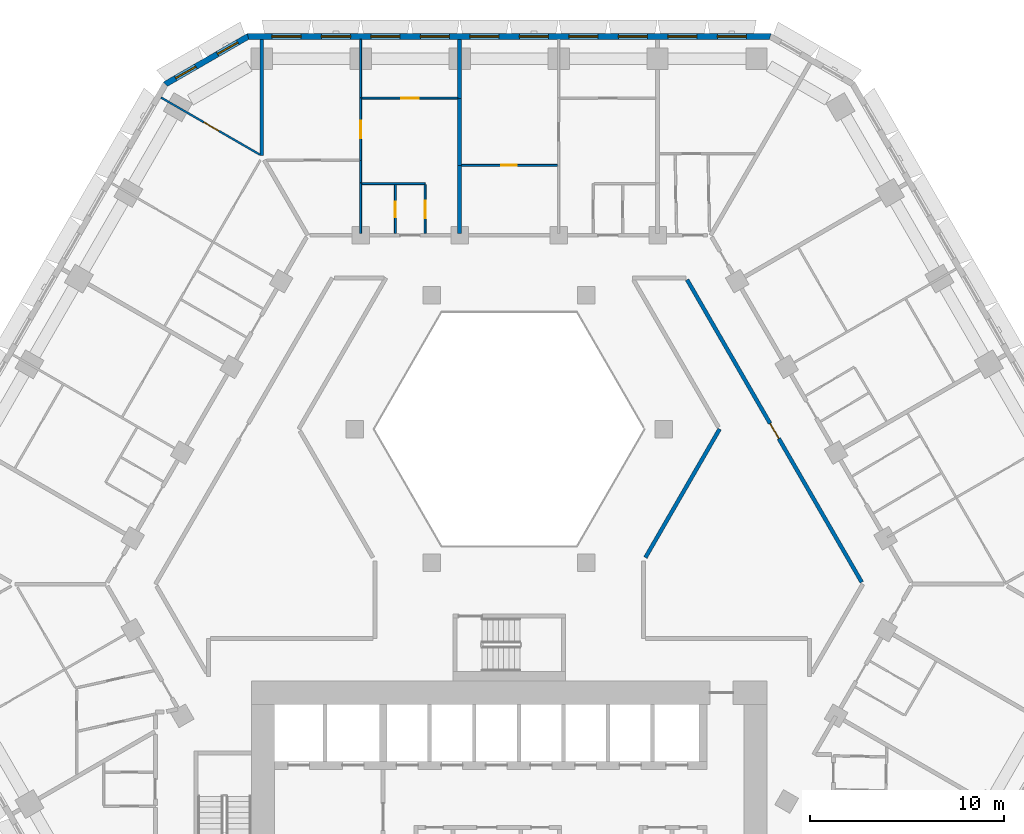
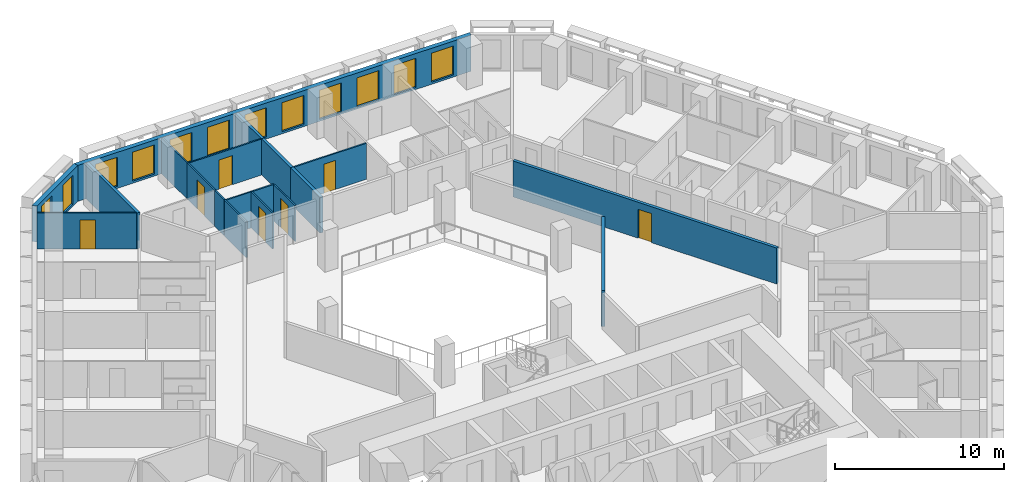
# One storey, part 10 of 21: 18 walls, 12 windows, 7 doors, 19 openings.
"""IFC4 building model written with IfcOpenShell, lengths in metres."""

from ifc_helpers import new_model, si_unit, direction, frame, frame_2d, origin, place, context, subcontext, project, spatial, polyline, rectangle, outline, extrude, material, layer, layer_set, type_object, element, fill, save


model = new_model("IFC4")

# Units and contexts
model_context = context("Model", 3, precision=1e-05, world=origin(), true_north=direction((0.0, 1.0)))
body_context = subcontext(model_context, "Body", "Model", "MODEL_VIEW")
ifc_project = project(units=[si_unit("LENGTHUNIT", "METRE"), si_unit("AREAUNIT", "SQUARE_METRE"), si_unit("VOLUMEUNIT", "CUBIC_METRE"), si_unit("PLANEANGLEUNIT", "RADIAN"), si_unit("MASSUNIT", "GRAM", prefix="KILO")], contexts=[model_context])

# Site, building, storey
site_placement = place(None, origin())
site = spatial("IfcSite", under=ifc_project, at=site_placement, CompositionType="ELEMENT")
building_placement = place(site_placement, origin())
building = spatial("IfcBuilding", under=site, at=building_placement, Name="Beryl Residences", CompositionType="ELEMENT")
storey_placement = place(building_placement, frame((0.0, 0.0, 59.39990234375)))
storey = spatial("IfcBuildingStorey", under=building, at=storey_placement, Name="L18", CompositionType="ELEMENT", Elevation=59.39990234375)

# Wall, openings, windows
ifc_material_1 = material(Name="Composite metal panel with mineral wool insulation")
ifc_layer_1 = layer(ifc_material_1, 0.300048828125)
ifc_layer_set_1 = layer_set([ifc_layer_1], Name="ES1 pale metal composite panel wall 300 mm")
wall_type_1 = type_object("IfcWallType", Name="ES1 pale metal composite panel wall 300 mm", PredefinedType="SOLIDWALL", material=ifc_layer_set_1)
wall_1_placement = place(storey_placement, frame((13.510009765625, 28.25, 0.0), z_axis=(0.0, 0.0, 1.0), x_axis=(-1.0, 0.0, 0.0)))
wall_1 = element("IfcWall", 1, at=wall_1_placement, inside=storey, type_object=wall_type_1, Name="ES1 external wall L18 N", PredefinedType="SOLIDWALL", context=body_context, shape_type="SweptSolid", body=[
    extrude(outline(polyline([(0.0, -0.14990234375), (27.02001953125, -0.14990234375), (26.939697265625, 0.14990234375), (0.080322265625, 0.14990234375), (0.0, -0.14990234375)])), origin(), (0.0, 0.0, 1.0), 2.60009765625),
])
opening_1_placement = place(wall_1_placement, frame((1.277099609375, 0.0, 0.14990234375)))
opening_1 = element("IfcOpeningElement", 2, at=opening_1_placement, cuts=wall_1, Name="Opening W1", PredefinedType="OPENING", context=body_context, shape_type="SweptSolid", body=[
    extrude(rectangle(XDim=1.5, YDim=2.10009765625, at=frame_2d((0.75, 1.050048828125))), frame((0.0, 0.159912109375, 0.0), z_axis=(0.0, -1.0, 0.0), x_axis=(1.0, 0.0, 0.0)), (0.0, 0.0, 1.0), 0.320068359375),
])
opening_2_placement = place(wall_1_placement, frame((3.8291015625, 0.0, 0.14990234375)))
opening_2 = element("IfcOpeningElement", 3, at=opening_2_placement, cuts=wall_1, Name="Opening W1", PredefinedType="OPENING", context=body_context, shape_type="SweptSolid", body=[
    extrude(rectangle(XDim=1.5, YDim=2.10009765625, at=frame_2d((0.75, 1.050048828125))), frame((0.0, 0.159912109375, 0.0), z_axis=(0.0, -1.0, 0.0), x_axis=(1.0, 0.0, 0.0)), (0.0, 0.0, 1.0), 0.320068359375),
])
opening_3_placement = place(wall_1_placement, frame((6.381103515625, 0.0, 0.14990234375)))
opening_3 = element("IfcOpeningElement", 4, at=opening_3_placement, cuts=wall_1, Name="Opening W1", PredefinedType="OPENING", context=body_context, shape_type="SweptSolid", body=[
    extrude(rectangle(XDim=1.5, YDim=2.10009765625, at=frame_2d((0.75, 1.050048828125))), frame((0.0, 0.159912109375, 0.0), z_axis=(0.0, -1.0, 0.0), x_axis=(1.0, 0.0, 0.0)), (0.0, 0.0, 1.0), 0.320068359375),
])
opening_4_placement = place(wall_1_placement, frame((8.93310546875, 0.0, 0.14990234375)))
opening_4 = element("IfcOpeningElement", 5, at=opening_4_placement, cuts=wall_1, Name="Opening W1", PredefinedType="OPENING", context=body_context, shape_type="SweptSolid", body=[
    extrude(rectangle(XDim=1.5, YDim=2.10009765625, at=frame_2d((0.75, 1.050048828125))), frame((0.0, 0.159912109375, 0.0), z_axis=(0.0, -1.0, 0.0), x_axis=(1.0, 0.0, 0.0)), (0.0, 0.0, 1.0), 0.320068359375),
])
opening_5_placement = place(wall_1_placement, frame((11.485107421875, 0.0, 0.14990234375)))
opening_5 = element("IfcOpeningElement", 6, at=opening_5_placement, cuts=wall_1, Name="Opening W1", PredefinedType="OPENING", context=body_context, shape_type="SweptSolid", body=[
    extrude(rectangle(XDim=1.5, YDim=2.10009765625, at=frame_2d((0.75, 1.050048828125))), frame((0.0, 0.159912109375, 0.0), z_axis=(0.0, -1.0, 0.0), x_axis=(1.0, 0.0, 0.0)), (0.0, 0.0, 1.0), 0.320068359375),
])
opening_6_placement = place(wall_1_placement, frame((14.037109375, 0.0, 0.14990234375)))
opening_6 = element("IfcOpeningElement", 7, at=opening_6_placement, cuts=wall_1, Name="Opening W1", PredefinedType="OPENING", context=body_context, shape_type="SweptSolid", body=[
    extrude(rectangle(XDim=1.5, YDim=2.10009765625, at=frame_2d((0.75, 1.050048828125))), frame((0.0, 0.159912109375, 0.0), z_axis=(0.0, -1.0, 0.0), x_axis=(1.0, 0.0, 0.0)), (0.0, 0.0, 1.0), 0.320068359375),
])
opening_7_placement = place(wall_1_placement, frame((16.589111328125, 0.0, 0.14990234375)))
opening_7 = element("IfcOpeningElement", 8, at=opening_7_placement, cuts=wall_1, Name="Opening W1", PredefinedType="OPENING", context=body_context, shape_type="SweptSolid", body=[
    extrude(rectangle(XDim=1.5, YDim=2.10009765625, at=frame_2d((0.75, 1.050048828125))), frame((0.0, 0.159912109375, 0.0), z_axis=(0.0, -1.0, 0.0), x_axis=(1.0, 0.0, 0.0)), (0.0, 0.0, 1.0), 0.320068359375),
])
opening_8_placement = place(wall_1_placement, frame((19.14111328125, 0.0, 0.14990234375)))
opening_8 = element("IfcOpeningElement", 9, at=opening_8_placement, cuts=wall_1, Name="Opening W1", PredefinedType="OPENING", context=body_context, shape_type="SweptSolid", body=[
    extrude(rectangle(XDim=1.5, YDim=2.10009765625, at=frame_2d((0.75, 1.050048828125))), frame((0.0, 0.159912109375, 0.0), z_axis=(0.0, -1.0, 0.0), x_axis=(1.0, 0.0, 0.0)), (0.0, 0.0, 1.0), 0.320068359375),
])
opening_9_placement = place(wall_1_placement, frame((21.693115234375, 0.0, 0.14990234375)))
opening_9 = element("IfcOpeningElement", 10, at=opening_9_placement, cuts=wall_1, Name="Opening W1", PredefinedType="OPENING", context=body_context, shape_type="SweptSolid", body=[
    extrude(rectangle(XDim=1.5, YDim=2.10009765625, at=frame_2d((0.75, 1.050048828125))), frame((0.0, 0.159912109375, 0.0), z_axis=(0.0, -1.0, 0.0), x_axis=(1.0, 0.0, 0.0)), (0.0, 0.0, 1.0), 0.320068359375),
])
opening_10_placement = place(wall_1_placement, frame((24.2451171875, 0.0, 0.14990234375)))
opening_10 = element("IfcOpeningElement", 11, at=opening_10_placement, cuts=wall_1, Name="Opening W1", PredefinedType="OPENING", context=body_context, shape_type="SweptSolid", body=[
    extrude(rectangle(XDim=1.5, YDim=2.10009765625, at=frame_2d((0.75, 1.050048828125))), frame((0.0, 0.159912109375, 0.0), z_axis=(0.0, -1.0, 0.0), x_axis=(1.0, 0.0, 0.0)), (0.0, 0.0, 1.0), 0.320068359375),
])
ifc_material_2 = material(Name="Aluminium and clear glass", Category="aluminium")
window_type_1 = type_object("IfcWindowType", Name="W1 cell window 1500 x 2100 mm", PartitioningType="SINGLE_PANEL", PredefinedType="WINDOW", material=ifc_material_2)
window_1_placement = place(opening_1_placement, origin())
window_1 = element("IfcWindow", 12, at=window_1_placement, inside=storey, type_object=window_type_1, Name="W1 window L18 N 1", OverallHeight=2.10009765625, OverallWidth=1.5, PartitioningType="SINGLE_PANEL", PredefinedType="WINDOW", context=body_context, shape_type="SweptSolid", body=[
    extrude(rectangle(XDim=1.5, YDim=2.10009765625, at=frame_2d((0.75, 1.050048828125))), frame((0.0, 0.030029296875, 0.0), z_axis=(0.0, -1.0, 0.0), x_axis=(1.0, 0.0, 0.0)), (0.0, 0.0, 1.0), 0.06005859375),
])
fill(opening_1, window_1)
window_2_placement = place(opening_2_placement, origin())
window_2 = element("IfcWindow", 13, at=window_2_placement, inside=storey, type_object=window_type_1, Name="W1 window L18 N 2", OverallHeight=2.10009765625, OverallWidth=1.5, PartitioningType="SINGLE_PANEL", PredefinedType="WINDOW", context=body_context, shape_type="SweptSolid", body=[
    extrude(rectangle(XDim=1.5, YDim=2.10009765625, at=frame_2d((0.75, 1.050048828125))), frame((0.0, 0.030029296875, 0.0), z_axis=(0.0, -1.0, 0.0), x_axis=(1.0, 0.0, 0.0)), (0.0, 0.0, 1.0), 0.06005859375),
])
fill(opening_2, window_2)
window_3_placement = place(opening_3_placement, origin())
window_3 = element("IfcWindow", 14, at=window_3_placement, inside=storey, type_object=window_type_1, Name="W1 window L18 N 3", OverallHeight=2.10009765625, OverallWidth=1.5, PartitioningType="SINGLE_PANEL", PredefinedType="WINDOW", context=body_context, shape_type="SweptSolid", body=[
    extrude(rectangle(XDim=1.5, YDim=2.10009765625, at=frame_2d((0.75, 1.050048828125))), frame((0.0, 0.030029296875, 0.0), z_axis=(0.0, -1.0, 0.0), x_axis=(1.0, 0.0, 0.0)), (0.0, 0.0, 1.0), 0.06005859375),
])
fill(opening_3, window_3)
window_4_placement = place(opening_4_placement, origin())
window_4 = element("IfcWindow", 15, at=window_4_placement, inside=storey, type_object=window_type_1, Name="W1 window L18 N 4", OverallHeight=2.10009765625, OverallWidth=1.5, PartitioningType="SINGLE_PANEL", PredefinedType="WINDOW", context=body_context, shape_type="SweptSolid", body=[
    extrude(rectangle(XDim=1.5, YDim=2.10009765625, at=frame_2d((0.75, 1.050048828125))), frame((0.0, 0.030029296875, 0.0), z_axis=(0.0, -1.0, 0.0), x_axis=(1.0, 0.0, 0.0)), (0.0, 0.0, 1.0), 0.06005859375),
])
fill(opening_4, window_4)
window_5_placement = place(opening_5_placement, origin())
window_5 = element("IfcWindow", 16, at=window_5_placement, inside=storey, type_object=window_type_1, Name="W1 window L18 N 5", OverallHeight=2.10009765625, OverallWidth=1.5, PartitioningType="SINGLE_PANEL", PredefinedType="WINDOW", context=body_context, shape_type="SweptSolid", body=[
    extrude(rectangle(XDim=1.5, YDim=2.10009765625, at=frame_2d((0.75, 1.050048828125))), frame((0.0, 0.030029296875, 0.0), z_axis=(0.0, -1.0, 0.0), x_axis=(1.0, 0.0, 0.0)), (0.0, 0.0, 1.0), 0.06005859375),
])
fill(opening_5, window_5)
window_6_placement = place(opening_6_placement, origin())
window_6 = element("IfcWindow", 17, at=window_6_placement, inside=storey, type_object=window_type_1, Name="W1 window L18 N 6", OverallHeight=2.10009765625, OverallWidth=1.5, PartitioningType="SINGLE_PANEL", PredefinedType="WINDOW", context=body_context, shape_type="SweptSolid", body=[
    extrude(rectangle(XDim=1.5, YDim=2.10009765625, at=frame_2d((0.75, 1.050048828125))), frame((0.0, 0.030029296875, 0.0), z_axis=(0.0, -1.0, 0.0), x_axis=(1.0, 0.0, 0.0)), (0.0, 0.0, 1.0), 0.06005859375),
])
fill(opening_6, window_6)
window_7_placement = place(opening_7_placement, origin())
window_7 = element("IfcWindow", 18, at=window_7_placement, inside=storey, type_object=window_type_1, Name="W1 window L18 N 7", OverallHeight=2.10009765625, OverallWidth=1.5, PartitioningType="SINGLE_PANEL", PredefinedType="WINDOW", context=body_context, shape_type="SweptSolid", body=[
    extrude(rectangle(XDim=1.5, YDim=2.10009765625, at=frame_2d((0.75, 1.050048828125))), frame((0.0, 0.030029296875, 0.0), z_axis=(0.0, -1.0, 0.0), x_axis=(1.0, 0.0, 0.0)), (0.0, 0.0, 1.0), 0.06005859375),
])
fill(opening_7, window_7)
window_8_placement = place(opening_8_placement, origin())
window_8 = element("IfcWindow", 19, at=window_8_placement, inside=storey, type_object=window_type_1, Name="W1 window L18 N 8", OverallHeight=2.10009765625, OverallWidth=1.5, PartitioningType="SINGLE_PANEL", PredefinedType="WINDOW", context=body_context, shape_type="SweptSolid", body=[
    extrude(rectangle(XDim=1.5, YDim=2.10009765625, at=frame_2d((0.75, 1.050048828125))), frame((0.0, 0.030029296875, 0.0), z_axis=(0.0, -1.0, 0.0), x_axis=(1.0, 0.0, 0.0)), (0.0, 0.0, 1.0), 0.06005859375),
])
fill(opening_8, window_8)
window_9_placement = place(opening_9_placement, origin())
window_9 = element("IfcWindow", 20, at=window_9_placement, inside=storey, type_object=window_type_1, Name="W1 window L18 N 9", OverallHeight=2.10009765625, OverallWidth=1.5, PartitioningType="SINGLE_PANEL", PredefinedType="WINDOW", context=body_context, shape_type="SweptSolid", body=[
    extrude(rectangle(XDim=1.5, YDim=2.10009765625, at=frame_2d((0.75, 1.050048828125))), frame((0.0, 0.030029296875, 0.0), z_axis=(0.0, -1.0, 0.0), x_axis=(1.0, 0.0, 0.0)), (0.0, 0.0, 1.0), 0.06005859375),
])
fill(opening_9, window_9)
window_10_placement = place(opening_10_placement, origin())
window_10 = element("IfcWindow", 21, at=window_10_placement, inside=storey, type_object=window_type_1, Name="W1 window L18 N 10", OverallHeight=2.10009765625, OverallWidth=1.5, PartitioningType="SINGLE_PANEL", PredefinedType="WINDOW", context=body_context, shape_type="SweptSolid", body=[
    extrude(rectangle(XDim=1.5, YDim=2.10009765625, at=frame_2d((0.75, 1.050048828125))), frame((0.0, 0.030029296875, 0.0), z_axis=(0.0, -1.0, 0.0), x_axis=(1.0, 0.0, 0.0)), (0.0, 0.0, 1.0), 0.06005859375),
])
fill(opening_10, window_10)

wall_2_placement = place(storey_placement, frame((-13.43505859375, 28.27001953125, 0.0), z_axis=(0.0, 0.0, 1.0), x_axis=(-0.866010750942, -0.50002537861, 0.0)))
wall_2 = element("IfcWall", 22, at=wall_2_placement, inside=storey, type_object=wall_type_1, Name="ES1 external wall L18 N-NW", PredefinedType="SOLIDWALL", context=body_context, shape_type="SweptSolid", body=[
    extrude(outline(polyline([(0.0, -0.14990234375), (4.999755859375, -0.14990234375), (4.91943359375, 0.14990234375), (0.080322265625, 0.14990234375), (0.0, -0.14990234375)])), origin(), (0.0, 0.0, 1.0), 2.60009765625),
])
opening_11_placement = place(wall_2_placement, frame((0.64990234375, 0.0, 0.14990234375)))
opening_11 = element("IfcOpeningElement", 23, at=opening_11_placement, cuts=wall_2, Name="Opening W2", PredefinedType="OPENING", context=body_context, shape_type="SweptSolid", body=[
    extrude(rectangle(XDim=1.199951171875, YDim=2.10009765625, at=frame_2d((0.60009765625, 1.050048828125))), frame((0.0, 0.159912109375, 0.0), z_axis=(0.0, -1.0, 0.0), x_axis=(1.0, 0.0, 0.0)), (0.0, 0.0, 1.0), 0.320068359375),
])
opening_12_placement = place(wall_2_placement, frame((3.14892578125, 0.0, 0.14990234375)))
opening_12 = element("IfcOpeningElement", 24, at=opening_12_placement, cuts=wall_2, Name="Opening W2", PredefinedType="OPENING", context=body_context, shape_type="SweptSolid", body=[
    extrude(rectangle(XDim=1.199951171875, YDim=2.10009765625, at=frame_2d((0.60009765625, 1.050048828125))), frame((0.0, 0.159912109375, 0.0), z_axis=(0.0, -1.0, 0.0), x_axis=(1.0, 0.0, 0.0)), (0.0, 0.0, 1.0), 0.320068359375),
])
ifc_material_3 = material(Name="Aluminium and clear glass", Category="aluminium")
window_type_2 = type_object("IfcWindowType", Name="W2 chamfer window 1200 x 2100 mm", PartitioningType="SINGLE_PANEL", PredefinedType="WINDOW", material=ifc_material_3)
window_11_placement = place(opening_11_placement, origin())
window_11 = element("IfcWindow", 25, at=window_11_placement, inside=storey, type_object=window_type_2, Name="W2 window L18 N-NW 1", OverallHeight=2.10009765625, OverallWidth=1.199951171875, PartitioningType="SINGLE_PANEL", PredefinedType="WINDOW", context=body_context, shape_type="SweptSolid", body=[
    extrude(rectangle(XDim=1.199951171875, YDim=2.10009765625, at=frame_2d((0.60009765625, 1.050048828125))), frame((0.0, 0.030029296875, 0.0), z_axis=(0.0, -1.0, 0.0), x_axis=(1.0, 0.0, 0.0)), (0.0, 0.0, 1.0), 0.06005859375),
])
fill(opening_11, window_11)
window_12_placement = place(opening_12_placement, origin())
window_12 = element("IfcWindow", 26, at=window_12_placement, inside=storey, type_object=window_type_2, Name="W2 window L18 N-NW 2", OverallHeight=2.10009765625, OverallWidth=1.199951171875, PartitioningType="SINGLE_PANEL", PredefinedType="WINDOW", context=body_context, shape_type="SweptSolid", body=[
    extrude(rectangle(XDim=1.199951171875, YDim=2.10009765625, at=frame_2d((0.60009765625, 1.050048828125))), frame((0.0, 0.030029296875, 0.0), z_axis=(0.0, -1.0, 0.0), x_axis=(1.0, 0.0, 0.0)), (0.0, 0.0, 1.0), 0.06005859375),
])
fill(opening_12, window_12)

# Wall, opening, door
ifc_material_4 = material(Name="Gypsum board partition on steel studs", Category="steel")
ifc_layer_2 = layer(ifc_material_4, 0.10009765625)
ifc_layer_set_2 = layer_set([ifc_layer_2], Name="PT1 partition 100 mm gypsum board on steel studs")
wall_type_2 = type_object("IfcWallType", Name="PT1 partition 100 mm gypsum board on steel studs", PredefinedType="PARTITIONING", material=ifc_layer_set_2)
wall_3_placement = place(storey_placement, frame((-4.339111328125, 20.60888671875, 0.0), z_axis=(0.0, 0.0, 1.0), x_axis=(0.0, -1.0, 0.0)))
wall_3 = element("IfcWall", 27, at=wall_3_placement, inside=storey, type_object=wall_type_2, Name="Wall PT1 L18 008", PredefinedType="PARTITIONING", context=body_context, shape_type="SweptSolid", body=[
    extrude(rectangle(XDim=2.5087890625, YDim=0.10009765625, at=frame_2d((1.25439453125, 0.0))), origin(), (0.0, 0.0, 1.0), 2.60009765625),
])
opening_13_placement = place(wall_3_placement, frame((0.8291015625, 0.0, 0.0)))
opening_13 = element("IfcOpeningElement", 28, at=opening_13_placement, cuts=wall_3, Name="Opening D0326", PredefinedType="OPENING", context=body_context, shape_type="SweptSolid", body=[
    extrude(rectangle(XDim=0.89990234375, YDim=2.10009765625, at=frame_2d((0.449951171875, 1.050048828125))), frame((0.0, 0.06005859375, 0.0), z_axis=(0.0, -1.0, 0.0), x_axis=(1.0, 0.0, 0.0)), (0.0, 0.0, 1.0), 0.1201171875),
])
ifc_material_5 = material(Name="Timber door leaf", Category="wood")
door_type_1 = type_object("IfcDoorType", Name="D2 room door 900 x 2100 mm", OperationType="SINGLE_SWING_LEFT", PredefinedType="DOOR", material=ifc_material_5)
door_1_placement = place(opening_13_placement, origin())
door_1 = element("IfcDoor", 29, at=door_1_placement, inside=storey, type_object=door_type_1, Name="Door D0326 L18 001", OperationType="SINGLE_SWING_RIGHT", OverallHeight=2.10009765625, OverallWidth=0.89990234375, PredefinedType="DOOR", context=body_context, shape_type="SweptSolid", body=[
    extrude(rectangle(XDim=0.89990234375, YDim=2.10009765625, at=frame_2d((0.449951171875, 1.050048828125))), frame((0.0, 0.02490234375, 0.0), z_axis=(0.0, -1.0, 0.0), x_axis=(1.0, 0.0, 0.0)), (0.0, 0.0, 1.0), 0.050048828125),
])
fill(opening_13, door_1)

# Walls
wall_4_placement = place(storey_placement, frame((-7.656982421875, 28.10009765625, 0.0), z_axis=(0.0, 0.0, 1.0), x_axis=(0.0, -1.0, 0.0)))
element("IfcWall", 30, at=wall_4_placement, inside=storey, type_object=wall_type_2, Name="Wall PT1 L18 009", PredefinedType="PARTITIONING", context=body_context, shape_type="SweptSolid", body=[
    extrude(rectangle(XDim=3.0, YDim=0.10009765625, at=frame_2d((1.5, 0.0))), origin(), (0.0, 0.0, 1.0), 2.60009765625),
])
wall_5_placement = place(storey_placement, frame((-7.656982421875, 21.843994140625, 0.0), z_axis=(0.0, 0.0, 1.0), x_axis=(0.0, -1.0, 0.0)))
element("IfcWall", 31, at=wall_5_placement, inside=storey, type_object=wall_type_2, Name="Wall PT1 L18 010", PredefinedType="PARTITIONING", context=body_context, shape_type="SweptSolid", body=[
    extrude(rectangle(XDim=1.134033203125, YDim=0.10009765625, at=frame_2d((0.56689453125, 0.0))), origin(), (0.0, 0.0, 1.0), 2.60009765625),
])

# Wall, opening, door
wall_6_placement = place(storey_placement, frame((-17.955078125, 25.09912109375, 0.0), z_axis=(0.0, 0.0, 1.0), x_axis=(0.866036353684, -0.499981033738, 0.0)))
wall_6 = element("IfcWall", 32, at=wall_6_placement, inside=storey, type_object=wall_type_2, Name="Wall PT1 L18 028", PredefinedType="PARTITIONING", context=body_context, shape_type="SweptSolid", body=[
    extrude(rectangle(XDim=5.884521484375, YDim=0.10009765625, at=frame_2d((2.9423828125, 0.0))), origin(), (0.0, 0.0, 1.0), 2.60009765625),
])
opening_14_placement = place(wall_6_placement, frame((2.550048828125, 0.0, 0.0)))
opening_14 = element("IfcOpeningElement", 33, at=opening_14_placement, cuts=wall_6, Name="Opening D0336", PredefinedType="OPENING", context=body_context, shape_type="SweptSolid", body=[
    extrude(rectangle(XDim=0.89990234375, YDim=2.10009765625, at=frame_2d((0.449951171875, 1.050048828125))), frame((0.0, 0.06005859375, 0.0), z_axis=(0.0, -1.0, 0.0), x_axis=(1.0, 0.0, 0.0)), (0.0, 0.0, 1.0), 0.1201171875),
])
door_2_placement = place(opening_14_placement, origin())
door_2 = element("IfcDoor", 34, at=door_2_placement, inside=storey, type_object=door_type_1, Name="Door D0336 L18 001", OperationType="SINGLE_SWING_RIGHT", OverallHeight=2.10009765625, OverallWidth=0.89990234375, PredefinedType="DOOR", context=body_context, shape_type="SweptSolid", body=[
    extrude(rectangle(XDim=0.89990234375, YDim=2.10009765625, at=frame_2d((0.449951171875, 1.050048828125))), frame((0.0, 0.02490234375, 0.0), z_axis=(0.0, -1.0, 0.0), x_axis=(1.0, 0.0, 0.0)), (0.0, 0.0, 1.0), 0.050048828125),
])
fill(opening_14, door_2)

# Wall
wall_7_placement = place(storey_placement, frame((-7.60693359375, 20.659912109375, 0.0), z_axis=(0.0, 0.0, 1.0), x_axis=(1.0, 0.0, 0.0)))
element("IfcWall", 35, at=wall_7_placement, inside=storey, type_object=wall_type_2, Name="Wall PT1 L18 037", PredefinedType="PARTITIONING", context=body_context, shape_type="SweptSolid", body=[
    extrude(rectangle(XDim=3.266845703125, YDim=0.10009765625, at=frame_2d((1.63330078125, 0.0))), origin(), (0.0, 0.0, 1.0), 2.60009765625),
])

# Wall, opening, door
wall_8_placement = place(storey_placement, frame((-2.452880859375, 21.60009765625, 0.0), z_axis=(0.0, 0.0, 1.0), x_axis=(1.0, 0.0, 0.0)))
wall_8 = element("IfcWall", 36, at=wall_8_placement, inside=storey, type_object=wall_type_2, Name="Wall PT1 L18 039", PredefinedType="PARTITIONING", context=body_context, shape_type="SweptSolid", body=[
    extrude(rectangle(XDim=4.953857421875, YDim=0.10009765625, at=frame_2d((2.47705078125, 0.0))), origin(), (0.0, 0.0, 1.0), 2.60009765625),
])
opening_15_placement = place(wall_8_placement, frame((2.052001953125, 0.0, 0.0)))
opening_15 = element("IfcOpeningElement", 37, at=opening_15_placement, cuts=wall_8, Name="Opening D0324", PredefinedType="OPENING", context=body_context, shape_type="SweptSolid", body=[
    extrude(rectangle(XDim=0.800048828125, YDim=2.10009765625, at=frame_2d((0.39990234375, 1.050048828125))), frame((0.0, 0.06005859375, 0.0), z_axis=(0.0, -1.0, 0.0), x_axis=(1.0, 0.0, 0.0)), (0.0, 0.0, 1.0), 0.1201171875),
])
ifc_material_6 = material(Name="Timber door leaf", Category="wood")
door_type_2 = type_object("IfcDoorType", Name="D3 bathroom door 800 x 2100 mm", OperationType="SINGLE_SWING_LEFT", PredefinedType="DOOR", material=ifc_material_6)
door_3_placement = place(opening_15_placement, origin())
door_3 = element("IfcDoor", 38, at=door_3_placement, inside=storey, type_object=door_type_2, Name="Door D0324 L18 001", OperationType="SINGLE_SWING_RIGHT", OverallHeight=2.10009765625, OverallWidth=0.800048828125, PredefinedType="DOOR", context=body_context, shape_type="SweptSolid", body=[
    extrude(rectangle(XDim=0.800048828125, YDim=2.10009765625, at=frame_2d((0.39990234375, 1.050048828125))), frame((0.0, 0.02490234375, 0.0), z_axis=(0.0, -1.0, 0.0), x_axis=(1.0, 0.0, 0.0)), (0.0, 0.0, 1.0), 0.050048828125),
])
fill(opening_15, door_3)

wall_9_placement = place(storey_placement, frame((-7.60693359375, 25.070068359375, 0.0), z_axis=(0.0, 0.0, 1.0), x_axis=(1.0, 0.0, 0.0)))
wall_9 = element("IfcWall", 39, at=wall_9_placement, inside=storey, type_object=wall_type_2, Name="Wall PT1 L18 042", PredefinedType="PARTITIONING", context=body_context, shape_type="SweptSolid", body=[
    extrude(rectangle(XDim=4.953857421875, YDim=0.10009765625, at=frame_2d((2.47705078125, 0.0))), origin(), (0.0, 0.0, 1.0), 2.60009765625),
])
opening_16_placement = place(wall_9_placement, frame((2.052001953125, 0.0, 0.0)))
opening_16 = element("IfcOpeningElement", 40, at=opening_16_placement, cuts=wall_9, Name="Opening D0328", PredefinedType="OPENING", context=body_context, shape_type="SweptSolid", body=[
    extrude(rectangle(XDim=0.89990234375, YDim=2.10009765625, at=frame_2d((0.449951171875, 1.050048828125))), frame((0.0, 0.06005859375, 0.0), z_axis=(0.0, -1.0, 0.0), x_axis=(1.0, 0.0, 0.0)), (0.0, 0.0, 1.0), 0.1201171875),
])
door_4_placement = place(opening_16_placement, origin())
door_4 = element("IfcDoor", 41, at=door_4_placement, inside=storey, type_object=door_type_1, Name="Door D0328 L18 001", OperationType="SINGLE_SWING_RIGHT", OverallHeight=2.10009765625, OverallWidth=0.89990234375, PredefinedType="DOOR", context=body_context, shape_type="SweptSolid", body=[
    extrude(rectangle(XDim=0.89990234375, YDim=2.10009765625, at=frame_2d((0.449951171875, 1.050048828125))), frame((0.0, 0.02490234375, 0.0), z_axis=(0.0, -1.0, 0.0), x_axis=(1.0, 0.0, 0.0)), (0.0, 0.0, 1.0), 0.050048828125),
])
fill(opening_16, door_4)

wall_10_placement = place(storey_placement, frame((-5.87109375, 18.10009765625, 0.0), z_axis=(0.0, 0.0, 1.0), x_axis=(0.0, 1.0, 0.0)))
wall_10 = element("IfcWall", 42, at=wall_10_placement, inside=storey, type_object=wall_type_2, Name="Wall PT1 L18 061", PredefinedType="PARTITIONING", context=body_context, shape_type="SweptSolid", body=[
    extrude(rectangle(XDim=2.510009765625, YDim=0.10009765625, at=frame_2d((1.2548828125, 0.0))), origin(), (0.0, 0.0, 1.0), 2.60009765625),
])
opening_17_placement = place(wall_10_placement, frame((0.830078125, 0.0, 0.0)))
opening_17 = element("IfcOpeningElement", 43, at=opening_17_placement, cuts=wall_10, Name="Opening D0327", PredefinedType="OPENING", context=body_context, shape_type="SweptSolid", body=[
    extrude(rectangle(XDim=0.800048828125, YDim=2.10009765625, at=frame_2d((0.39990234375, 1.050048828125))), frame((0.0, 0.06005859375, 0.0), z_axis=(0.0, -1.0, 0.0), x_axis=(1.0, 0.0, 0.0)), (0.0, 0.0, 1.0), 0.1201171875),
])
door_5_placement = place(opening_17_placement, origin())
door_5 = element("IfcDoor", 44, at=door_5_placement, inside=storey, type_object=door_type_2, Name="Door D0327 L18 001", OperationType="SINGLE_SWING_LEFT", OverallHeight=2.10009765625, OverallWidth=0.800048828125, PredefinedType="DOOR", context=body_context, shape_type="SweptSolid", body=[
    extrude(rectangle(XDim=0.800048828125, YDim=2.10009765625, at=frame_2d((0.39990234375, 1.050048828125))), frame((0.0, 0.02490234375, 0.0), z_axis=(0.0, -1.0, 0.0), x_axis=(1.0, 0.0, 0.0)), (0.0, 0.0, 1.0), 0.050048828125),
])
fill(opening_17, door_5)

# Wall
wall_11_placement = place(storey_placement, frame((-7.656982421875, 18.10009765625, 0.0), z_axis=(0.0, 0.0, 1.0), x_axis=(0.0, 1.0, 0.0)))
element("IfcWall", 45, at=wall_11_placement, inside=storey, type_object=wall_type_2, Name="Wall PT1 L18 064", PredefinedType="PARTITIONING", context=body_context, shape_type="SweptSolid", body=[
    extrude(rectangle(XDim=2.579833984375, YDim=0.10009765625, at=frame_2d((1.2900390625, 0.0))), origin(), (0.0, 0.0, 1.0), 2.60009765625),
])

# Wall, opening, door
wall_12_placement = place(storey_placement, frame((-7.656982421875, 21.85400390625, 0.0), z_axis=(0.0, 0.0, 1.0), x_axis=(0.0, 1.0, 0.0)))
wall_12 = element("IfcWall", 46, at=wall_12_placement, inside=storey, type_object=wall_type_2, Name="Wall PT1 L18 065", PredefinedType="PARTITIONING", context=body_context, shape_type="SweptSolid", body=[
    extrude(rectangle(XDim=3.216064453125, YDim=0.10009765625, at=frame_2d((1.60791015625, 0.0))), origin(), (0.0, 0.0, 1.0), 2.60009765625),
])
opening_18_placement = place(wall_12_placement, frame((1.157958984375, 0.0, 0.0)))
opening_18 = element("IfcOpeningElement", 47, at=opening_18_placement, cuts=wall_12, Name="Opening D0329", PredefinedType="OPENING", context=body_context, shape_type="SweptSolid", body=[
    extrude(rectangle(XDim=0.89990234375, YDim=2.10009765625, at=frame_2d((0.449951171875, 1.050048828125))), frame((0.0, 0.06005859375, 0.0), z_axis=(0.0, -1.0, 0.0), x_axis=(1.0, 0.0, 0.0)), (0.0, 0.0, 1.0), 0.1201171875),
])
door_6_placement = place(opening_18_placement, origin())
door_6 = element("IfcDoor", 48, at=door_6_placement, inside=storey, type_object=door_type_1, Name="Door D0329 L18 001", OperationType="SINGLE_SWING_LEFT", OverallHeight=2.10009765625, OverallWidth=0.89990234375, PredefinedType="DOOR", context=body_context, shape_type="SweptSolid", body=[
    extrude(rectangle(XDim=0.89990234375, YDim=2.10009765625, at=frame_2d((0.449951171875, 1.050048828125))), frame((0.0, 0.02490234375, 0.0), z_axis=(0.0, -1.0, 0.0), x_axis=(1.0, 0.0, 0.0)), (0.0, 0.0, 1.0), 0.050048828125),
])
fill(opening_18, door_6)

# Walls
ifc_material_7 = material(Name="Acoustic double stud gypsum board wall")
ifc_layer_3 = layer(ifc_material_7, 0.199951171875)
ifc_layer_set_3 = layer_set([ifc_layer_3], Name="PT3 party wall 200 mm acoustic double stud")
wall_type_3 = type_object("IfcWallType", Name="PT3 party wall 200 mm acoustic double stud", PredefinedType="PARTITIONING", material=ifc_layer_set_3)
wall_13_placement = place(storey_placement, frame((-2.552978515625, 25.090087890625, 0.0), z_axis=(0.0, 0.0, 1.0), x_axis=(0.0, -1.0, 0.0)))
element("IfcWall", 49, at=wall_13_placement, inside=storey, type_object=wall_type_3, Name="Wall PT3 L18 003", PredefinedType="PARTITIONING", context=body_context, shape_type="SweptSolid", body=[
    extrude(rectangle(XDim=3.489990234375, YDim=0.199951171875, at=frame_2d((1.7451171875, 0.0))), origin(), (0.0, 0.0, 1.0), 2.60009765625),
])
wall_14_placement = place(storey_placement, frame((-12.760986328125, 22.10302734375, 0.0), z_axis=(0.0, 0.0, 1.0), x_axis=(0.0, 1.0, 0.0)))
element("IfcWall", 50, at=wall_14_placement, inside=storey, type_object=wall_type_3, Name="Wall PT3 L18 020", PredefinedType="PARTITIONING", context=body_context, shape_type="SweptSolid", body=[
    extrude(rectangle(XDim=5.9970703125, YDim=0.199951171875, at=frame_2d((2.99853515625, 0.0))), origin(), (0.0, 0.0, 1.0), 2.60009765625),
])
wall_15_placement = place(storey_placement, frame((-2.552978515625, 18.10009765625, 0.0), z_axis=(0.0, 0.0, 1.0), x_axis=(0.0, 1.0, 0.0)))
element("IfcWall", 51, at=wall_15_placement, inside=storey, type_object=wall_type_3, Name="Wall PT3 L18 022", PredefinedType="PARTITIONING", context=body_context, shape_type="SweptSolid", body=[
    extrude(rectangle(XDim=3.5, YDim=0.199951171875, at=frame_2d((1.75, 0.0))), origin(), (0.0, 0.0, 1.0), 2.60009765625),
])
wall_16_placement = place(storey_placement, frame((-2.552978515625, 25.050048828125, 0.0), z_axis=(0.0, 0.0, 1.0), x_axis=(0.0, 1.0, 0.0)))
element("IfcWall", 52, at=wall_16_placement, inside=storey, type_object=wall_type_3, Name="Wall PT3 L18 023", PredefinedType="PARTITIONING", context=body_context, shape_type="SweptSolid", body=[
    extrude(rectangle(XDim=3.050048828125, YDim=0.199951171875, at=frame_2d((1.52490234375, 0.0))), origin(), (0.0, 0.0, 1.0), 2.60009765625),
])

# Wall, opening, door
ifc_material_8 = material(Name="Double stud gypsum board wall")
ifc_layer_4 = layer(ifc_material_8, 0.199951171875)
ifc_layer_set_4 = layer_set([ifc_layer_4], Name="PT4 corridor wall 200 mm double stud")
wall_type_4 = type_object("IfcWallType", Name="PT4 corridor wall 200 mm double stud", PredefinedType="PARTITIONING", material=ifc_layer_set_4)
wall_17_placement = place(storey_placement, frame((9.179931640625, 15.699951171875, 0.0), z_axis=(0.0, 0.0, 1.0), x_axis=(0.500003652032, -0.866023295272, 0.0)))
wall_17 = element("IfcWall", 53, at=wall_17_placement, inside=storey, type_object=wall_type_4, Name="Wall PT4 L18 005", PredefinedType="PARTITIONING", context=body_context, shape_type="SweptSolid", body=[
    extrude(rectangle(XDim=18.011962890625, YDim=0.199951171875, at=frame_2d((9.005859375, 0.0))), origin(), (0.0, 0.0, 1.0), 2.60009765625),
])
opening_19_placement = place(wall_17_placement, frame((8.555908203125, 0.0, 0.0)))
opening_19 = element("IfcOpeningElement", 54, at=opening_19_placement, cuts=wall_17, Name="Opening D0382", PredefinedType="OPENING", context=body_context, shape_type="SweptSolid", body=[
    extrude(rectangle(XDim=0.89990234375, YDim=2.10009765625, at=frame_2d((0.449951171875, 1.050048828125))), frame((0.0, 0.10986328125, 0.0), z_axis=(0.0, -1.0, 0.0), x_axis=(1.0, 0.0, 0.0)), (0.0, 0.0, 1.0), 0.219970703125),
])
door_7_placement = place(opening_19_placement, origin())
door_7 = element("IfcDoor", 55, at=door_7_placement, inside=storey, type_object=door_type_1, Name="Door D0382 L18 001", OperationType="SINGLE_SWING_RIGHT", OverallHeight=2.10009765625, OverallWidth=0.89990234375, PredefinedType="DOOR", context=body_context, shape_type="SweptSolid", body=[
    extrude(rectangle(XDim=0.89990234375, YDim=2.10009765625, at=frame_2d((0.449951171875, 1.050048828125))), frame((0.0, 0.02490234375, 0.0), z_axis=(0.0, -1.0, 0.0), x_axis=(1.0, 0.0, 0.0)), (0.0, 0.0, 1.0), 0.050048828125),
])
fill(opening_19, door_7)

# Wall
wall_18_placement = place(storey_placement, frame((7.028076171875, 1.373046875, 0.0), z_axis=(0.0, 0.0, 1.0), x_axis=(0.49998574534, 0.86603363356, 0.0)))
element("IfcWall", 56, at=wall_18_placement, inside=storey, type_object=wall_type_4, Name="Wall PT4 L18 018", PredefinedType="PARTITIONING", context=body_context, shape_type="SweptSolid", body=[
    extrude(rectangle(XDim=7.652099609375, YDim=0.199951171875, at=frame_2d((3.826171875, 0.0))), origin(), (0.0, 0.0, 1.0), 2.60009765625),
])

save(model, "model.ifc")
